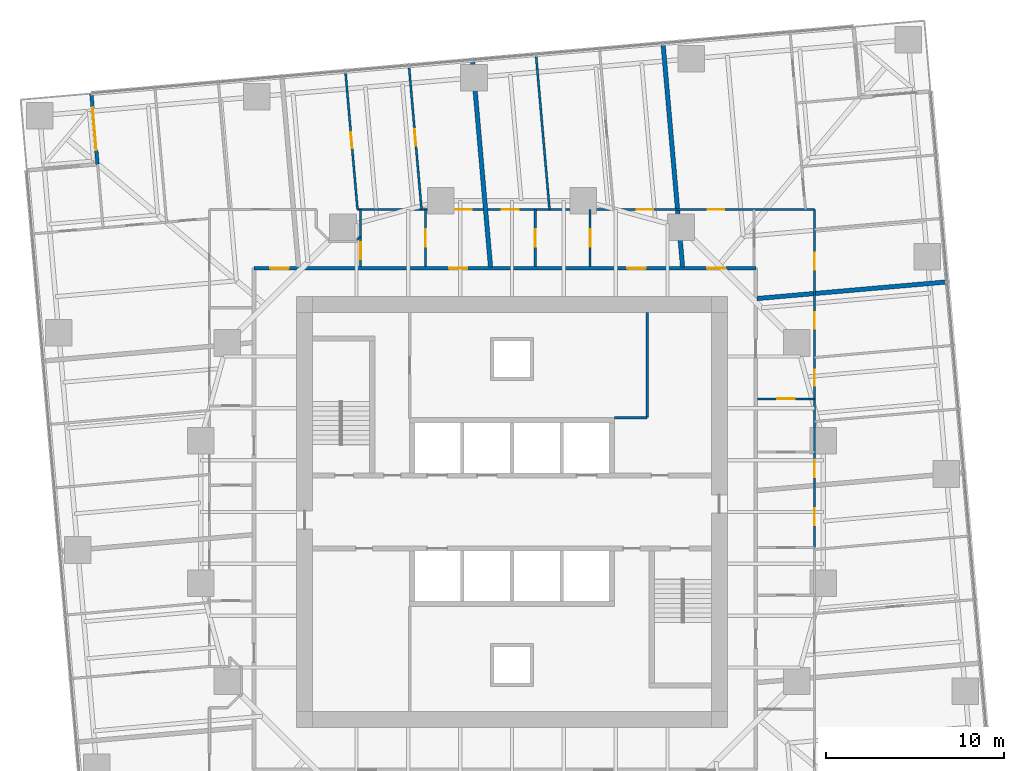
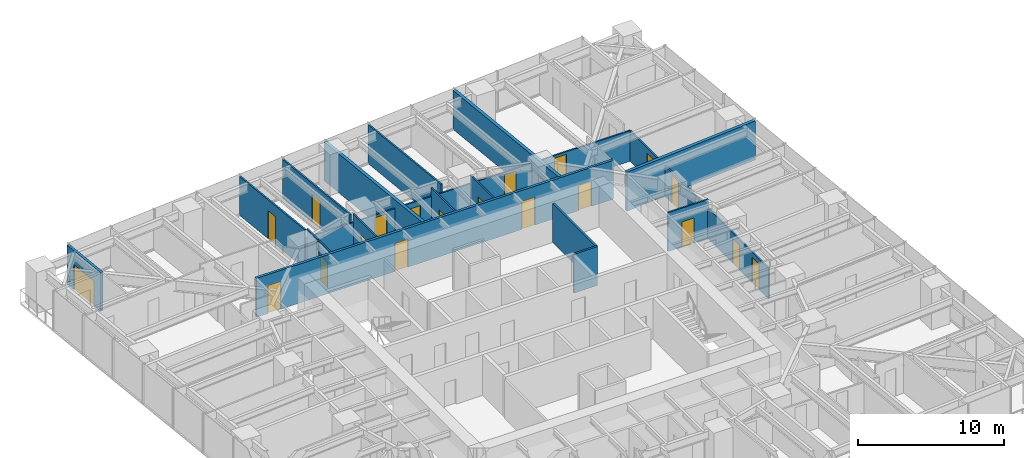
# One storey, part 12 of 14: 21 doors, 18 walls, 21 openings.
"""IFC4 building model written with IfcOpenShell, lengths in metres."""

import ifcopenshell
import ifcopenshell.guid

model = None  # the IFC model being written
_history = None  # IfcOwnerHistory: only IFC2X3 demands one
_inside = {}  # id of a spatial element -> (the spatial element, [elements in it])
_under = {}  # id of a project, library or spatial element -> (it, [spatial elements below it])
_declared = {}  # id of a project -> (the project, [libraries it declares])
_typed = {}  # id of a type object -> (the type object, [elements of that type])
_made_of = {}  # id of a material, layer set ... -> (it, [elements and type objects made of it])


def new_model(schema):
    """Start an empty IFC model of exactly this schema.

    Asked for "IFC4X3", IfcOpenShell would pick the latest addendum, in which some entities
    have other attributes; the version numbers below select the first issue.
    IFC2X3 requires an IfcOwnerHistory on every rooted entity: one is made here for all.
    """
    global model, _history
    if schema == "IFC4X3":
        model = ifcopenshell.file(schema_version=(4, 3, 0, 0))
    else:
        model = ifcopenshell.file(schema=schema)
    _inside.clear()
    _under.clear()
    _declared.clear()
    _typed.clear()
    _made_of.clear()
    _history = None
    if model.schema == "IFC2X3":
        org = make("IfcOrganization", Name="unknown")
        user = make(
            "IfcPersonAndOrganization",
            ThePerson=make("IfcPerson", FamilyName="unknown"),
            TheOrganization=org,
        )
        app = make(
            "IfcApplication",
            ApplicationDeveloper=org,
            Version="unknown",
            ApplicationFullName="unknown",
            ApplicationIdentifier="unknown",
        )
        _history = make(
            "IfcOwnerHistory",
            OwningUser=user,
            OwningApplication=app,
            ChangeAction="ADDED",
            CreationDate=0,
        )
    return model


def make(cls, **values):
    """One entity of the class cls with the attributes given. An attribute that is None is left unset."""
    return model.create_entity(
        cls, **{name: value for name, value in values.items() if value is not None}
    )


def rooted(cls, **values):
    """An entity with a GlobalId (a new one), such as an element, a storey or a relation."""
    return make(cls, GlobalId=ifcopenshell.guid.new(), OwnerHistory=_history, **values)


def si_unit(unit_type, name, prefix=None):
    """IfcSIUnit, for example si_unit("LENGTHUNIT", "METRE", prefix="MILLI")."""
    return make("IfcSIUnit", UnitType=unit_type, Prefix=prefix, Name=name)


def assignment(units):
    """IfcUnitAssignment: the units of a project."""
    return None if units is None else make("IfcUnitAssignment", Units=units)


def point(xyz):
    """IfcCartesianPoint."""
    return None if xyz is None else make("IfcCartesianPoint", Coordinates=xyz)


def direction(xyz):
    """IfcDirection."""
    return None if xyz is None else make("IfcDirection", DirectionRatios=xyz)


def frame(location, z_axis=None, x_axis=None):
    """IfcAxis2Placement3D, a coordinate frame: its origin and axes. An axis left out is left unset."""
    return make(
        "IfcAxis2Placement3D",
        Location=point(location),
        Axis=direction(z_axis),
        RefDirection=direction(x_axis),
    )


def frame_2d(location, x_axis=None):
    """IfcAxis2Placement2D, a coordinate frame in the plane: its origin and x axis."""
    return make(
        "IfcAxis2Placement2D", Location=point(location), RefDirection=direction(x_axis)
    )


def origin():
    """The frame at (0, 0, 0) with its axes left unset."""
    return frame((0.0, 0.0, 0.0))


def place(relative_to, where):
    """IfcLocalPlacement: puts the frame where relative to a parent placement (None: the world)."""
    return make(
        "IfcLocalPlacement", PlacementRelTo=relative_to, RelativePlacement=where
    )


def context(
    kind, dimensions, precision=None, world=None, true_north=None, identifier=None
):
    """IfcGeometricRepresentationContext, for example the 3D "Model" context."""
    return make(
        "IfcGeometricRepresentationContext",
        ContextIdentifier=identifier,
        ContextType=kind,
        CoordinateSpaceDimension=dimensions,
        Precision=precision,
        WorldCoordinateSystem=world,
        TrueNorth=true_north,
    )


def subcontext(parent, identifier, kind, view, scale=None):
    """IfcGeometricRepresentationSubContext, for example "Body" below "Model"."""
    return make(
        "IfcGeometricRepresentationSubContext",
        ContextIdentifier=identifier,
        ContextType=kind,
        ParentContext=parent,
        TargetScale=scale,
        TargetView=view,
    )


def project(units=None, contexts=None):
    """IfcProject with its units and contexts."""
    return rooted(
        "IfcProject",
        Name="project",
        RepresentationContexts=contexts,
        UnitsInContext=assignment(units),
    )


def spatial(cls, under=None, at=None, **own):
    """A site, building, storey or space (cls), placed at a placement, below another one or the project."""
    s = rooted(cls, ObjectPlacement=at, **own)
    if under is not None:
        _under.setdefault(under.id(), (under, []))[1].append(s)
    return s


def profile(cls, at=None, kind="AREA", **sizes):
    """A parametric profile (cls). Its sizes go by their IFC names, for example OverallWidth=200.0."""
    return make(cls, ProfileType=kind, Position=at, **sizes)


def rectangle(**sizes):
    """IfcRectangleProfileDef."""
    return profile("IfcRectangleProfileDef", **sizes)


def extrude(swept, where, along, depth):
    """IfcExtrudedAreaSolid: the profile swept, set in the frame where, extruded along a direction by depth."""
    return make(
        "IfcExtrudedAreaSolid",
        SweptArea=swept,
        Position=where,
        ExtrudedDirection=direction(along),
        Depth=depth,
    )


def shape(context_of_items, identifier, shape_type, items):
    """IfcShapeRepresentation: the items that make up one representation, for example the "Body"."""
    return make(
        "IfcShapeRepresentation",
        ContextOfItems=context_of_items,
        RepresentationIdentifier=identifier,
        RepresentationType=shape_type,
        Items=items,
    )


def material(Name=None, Category=None):
    """IfcMaterial."""
    return make("IfcMaterial", Name=Name, Category=Category)


def layer(
    of_material, thickness, ventilated=None, Name=None, Category=None, Priority=None
):
    """IfcMaterialLayer: one layer of a wall or slab, of a material (None: an air gap)."""
    return make(
        "IfcMaterialLayer",
        Material=of_material,
        LayerThickness=thickness,
        IsVentilated=ventilated,
        Name=Name,
        Category=Category,
        Priority=Priority,
    )


def layer_set(layers, Name=None):
    """IfcMaterialLayerSet."""
    return make("IfcMaterialLayerSet", MaterialLayers=layers, LayerSetName=Name)


def made_of(thing, what):
    """Note that an element or type object is made of a material, layer set ...; save() writes the relation."""
    if what is not None:
        _made_of.setdefault(what.id(), (what, []))[1].append(thing)
    return thing


def type_object(cls, material=None, **own):
    """A type object (cls), such as IfcWallType, which elements share."""
    return made_of(rooted(cls, **own), material)


def element(
    cls,
    number,
    at=None,
    inside=None,
    cuts=None,
    type_object=None,
    material=None,
    context=None,
    identifier="Body",
    shape_type=None,
    held_by="IfcProductDefinitionShape",
    body=None,
    shapes=None,
    **own,
):
    """One element of the class cls, such as IfcWall. Its Tag is "e" and its number.

    at: its placement. inside: the storey or other place that contains it. cuts: it is an
    opening in that element (IfcRelVoidsElement). A single representation is given by context,
    identifier, shape_type and body (its items); several are given by shapes. held_by: the class
    of the entity that holds the representations. save() writes the other relations.
    """
    e = rooted(cls, Tag="e%d" % number, ObjectPlacement=at, **own)
    if body is not None:
        shapes = [shape(context, identifier, shape_type, body)]
    if shapes is not None:
        e.Representation = make(held_by, Representations=shapes)
    if inside is not None:
        _inside.setdefault(inside.id(), (inside, []))[1].append(e)
    if cuts is not None:
        rooted(
            "IfcRelVoidsElement", RelatingBuildingElement=cuts, RelatedOpeningElement=e
        )
    if type_object is not None:
        _typed.setdefault(type_object.id(), (type_object, []))[1].append(e)
    return made_of(e, material)


def fill(opening, filler):
    """IfcRelFillsElement: the door or window that sits in an opening."""
    return rooted(
        "IfcRelFillsElement",
        RelatingOpeningElement=opening,
        RelatedBuildingElement=filler,
    )


def aggregate(whole, parts):
    """IfcRelAggregates: a whole, such as a stair, and the parts it consists of."""
    return rooted("IfcRelAggregates", RelatingObject=whole, RelatedObjects=parts)


def save(model, path):
    """Write the relations noted so far, then the file.

    IfcRelAggregates (storeys below a building ...), IfcRelContainedInSpatialStructure (elements
    in a storey), IfcRelDefinesByType, IfcRelAssociatesMaterial and IfcRelDeclares: one each for
    every whole, place, type object, material and project.
    """
    for whole, parts in _under.values():
        aggregate(whole, parts)
    for where, things in _inside.values():
        rooted(
            "IfcRelContainedInSpatialStructure",
            RelatedElements=things,
            RelatingStructure=where,
        )
    for kind, things in _typed.values():
        rooted("IfcRelDefinesByType", RelatedObjects=things, RelatingType=kind)
    for what, things in _made_of.values():
        rooted("IfcRelAssociatesMaterial", RelatedObjects=things, RelatingMaterial=what)
    for by, libraries in _declared.values():
        rooted("IfcRelDeclares", RelatingContext=by, RelatedDefinitions=libraries)
    model.write(path)


model = new_model("IFC4")

# Units and contexts
model_context = context("Model", 3, precision=1e-05, world=origin(), true_north=direction((0.0, 1.0)))
body_context = subcontext(model_context, "Body", "Model", "MODEL_VIEW")
ifc_project = project(units=[si_unit("LENGTHUNIT", "METRE"), si_unit("AREAUNIT", "SQUARE_METRE"), si_unit("VOLUMEUNIT", "CUBIC_METRE"), si_unit("PLANEANGLEUNIT", "RADIAN"), si_unit("MASSUNIT", "GRAM", prefix="KILO")], contexts=[model_context])

# Site, building, storey
site_placement = place(None, origin())
site = spatial("IfcSite", under=ifc_project, at=site_placement, CompositionType="ELEMENT")
building_placement = place(site_placement, origin())
building = spatial("IfcBuilding", under=site, at=building_placement, Name="Torsade Residences", CompositionType="ELEMENT")
storey_placement = place(building_placement, frame((0.0, 0.0, 50.60009765625)))
storey = spatial("IfcBuildingStorey", under=building, at=storey_placement, Name="L13", CompositionType="ELEMENT", Elevation=50.60009765625)

# Wall, openings, doors
ifc_material_1 = material(Name="Plasterboard on steel stud", Category="steel")
ifc_layer_1 = layer(ifc_material_1, 0.199951171875)
ifc_layer_set_1 = layer_set([ifc_layer_1], Name="Plasterboard on steel stud")
wall_type_1 = type_object("IfcWallType", Name="CORRIDOR WALL 200", PredefinedType="PARTITIONING", material=ifc_layer_set_1)
wall_1_placement = place(storey_placement, frame((53.699951171875, 43.699951171875, 0.0), z_axis=(0.0, 0.0, 1.0), x_axis=(-1.0, 0.0, 0.0)))
wall_1 = element("IfcWall", 1, at=wall_1_placement, inside=storey, type_object=wall_type_1, Name="Corridor wall L13", PredefinedType="PARTITIONING", context=body_context, shape_type="SweptSolid", body=[
    extrude(rectangle(XDim=28.199951171875, YDim=0.199951171875, at=frame_2d((14.10009765625, 0.0))), origin(), (0.0, 0.0, 1.0), 3.25),
])
opening_1_placement = place(wall_1_placement, frame((6.1943359375, 0.0, 0.0)))
opening_1 = element("IfcOpeningElement", 2, at=opening_1_placement, cuts=wall_1, Name="Opening D01", PredefinedType="OPENING", context=body_context, shape_type="SweptSolid", body=[
    extrude(rectangle(XDim=1.02001953125, YDim=2.340087890625, at=frame_2d((0.510009765625, 1.169921875))), frame((0.0, 0.10986328125, 0.0), z_axis=(0.0, -1.0, 0.0), x_axis=(1.0, 0.0, 0.0)), (0.0, 0.0, 1.0), 0.219970703125),
])
opening_2_placement = place(wall_1_placement, frame((1.71484375, 0.0, 0.0)))
opening_2 = element("IfcOpeningElement", 3, at=opening_2_placement, cuts=wall_1, Name="Opening D01L", PredefinedType="OPENING", context=body_context, shape_type="SweptSolid", body=[
    extrude(rectangle(XDim=1.02001953125, YDim=2.10009765625, at=frame_2d((0.510009765625, 1.050048828125))), frame((0.0, 0.10986328125, 0.0), z_axis=(0.0, -1.0, 0.0), x_axis=(1.0, 0.0, 0.0)), (0.0, 0.0, 1.0), 0.219970703125),
])
opening_3_placement = place(wall_1_placement, frame((16.214599609375, 0.0, 0.0)))
opening_3 = element("IfcOpeningElement", 4, at=opening_3_placement, cuts=wall_1, Name="Opening D01", PredefinedType="OPENING", context=body_context, shape_type="SweptSolid", body=[
    extrude(rectangle(XDim=1.02001953125, YDim=2.340087890625, at=frame_2d((0.510009765625, 1.169921875))), frame((0.0, 0.10986328125, 0.0), z_axis=(0.0, -1.0, 0.0), x_axis=(1.0, 0.0, 0.0)), (0.0, 0.0, 1.0), 0.219970703125),
])
opening_4_placement = place(wall_1_placement, frame((26.25537109375, 0.0, 0.0)))
opening_4 = element("IfcOpeningElement", 5, at=opening_4_placement, cuts=wall_1, Name="Opening D01", PredefinedType="OPENING", context=body_context, shape_type="SweptSolid", body=[
    extrude(rectangle(XDim=1.02001953125, YDim=2.340087890625, at=frame_2d((0.510009765625, 1.169921875))), frame((0.0, 0.10986328125, 0.0), z_axis=(0.0, -1.0, 0.0), x_axis=(1.0, 0.0, 0.0)), (0.0, 0.0, 1.0), 0.219970703125),
])
ifc_material_2 = material(Name="Solid-core timber fire door", Category="wood")
door_type_1 = type_object("IfcDoorType", Name="APARTMENT ENTRY DOOR 1020x2100", OperationType="NOTDEFINED", PredefinedType="DOOR", material=ifc_material_2)
door_1_placement = place(opening_2_placement, origin())
door_1 = element("IfcDoor", 6, at=door_1_placement, inside=storey, type_object=door_type_1, Name="Door Residential corridor to Kitchen and dining", OperationType="SINGLE_SWING_LEFT", OverallHeight=2.10009765625, OverallWidth=1.02001953125, PredefinedType="DOOR", context=body_context, shape_type="SweptSolid", body=[
    extrude(rectangle(XDim=1.02001953125, YDim=2.10009765625, at=frame_2d((0.510009765625, 1.050048828125))), frame((0.0, 0.02490234375, 0.0), z_axis=(0.0, -1.0, 0.0), x_axis=(1.0, 0.0, 0.0)), (0.0, 0.0, 1.0), 0.050048828125),
])
fill(opening_2, door_1)
ifc_material_3 = material(Name="Solid-core timber fire door", Category="wood")
door_type_2 = type_object("IfcDoorType", Name="APARTMENT ENTRY DOOR 1020x2340", OperationType="NOTDEFINED", PredefinedType="DOOR", material=ifc_material_3)
door_2_placement = place(opening_1_placement, origin())
door_2 = element("IfcDoor", 7, at=door_2_placement, inside=storey, type_object=door_type_2, Name="Door Residential corridor to Kitchen and dining", OperationType="SINGLE_SWING_LEFT", OverallHeight=2.340087890625, OverallWidth=1.02001953125, PredefinedType="DOOR", context=body_context, shape_type="SweptSolid", body=[
    extrude(rectangle(XDim=1.02001953125, YDim=2.340087890625, at=frame_2d((0.510009765625, 1.169921875))), frame((0.0, 0.02490234375, 0.0), z_axis=(0.0, -1.0, 0.0), x_axis=(1.0, 0.0, 0.0)), (0.0, 0.0, 1.0), 0.050048828125),
])
fill(opening_1, door_2)
door_3_placement = place(opening_3_placement, origin())
door_3 = element("IfcDoor", 8, at=door_3_placement, inside=storey, type_object=door_type_2, Name="Door Residential corridor to Kitchen and dining", OperationType="SINGLE_SWING_RIGHT", OverallHeight=2.340087890625, OverallWidth=1.02001953125, PredefinedType="DOOR", context=body_context, shape_type="SweptSolid", body=[
    extrude(rectangle(XDim=1.02001953125, YDim=2.340087890625, at=frame_2d((0.510009765625, 1.169921875))), frame((0.0, 0.02490234375, 0.0), z_axis=(0.0, -1.0, 0.0), x_axis=(1.0, 0.0, 0.0)), (0.0, 0.0, 1.0), 0.050048828125),
])
fill(opening_3, door_3)
door_4_placement = place(opening_4_placement, origin())
door_4 = element("IfcDoor", 9, at=door_4_placement, inside=storey, type_object=door_type_2, Name="Door Residential corridor to Kitchen and dining", OperationType="SINGLE_SWING_RIGHT", OverallHeight=2.340087890625, OverallWidth=1.02001953125, PredefinedType="DOOR", context=body_context, shape_type="SweptSolid", body=[
    extrude(rectangle(XDim=1.02001953125, YDim=2.340087890625, at=frame_2d((0.510009765625, 1.169921875))), frame((0.0, 0.02490234375, 0.0), z_axis=(0.0, -1.0, 0.0), x_axis=(1.0, 0.0, 0.0)), (0.0, 0.0, 1.0), 0.050048828125),
])
fill(opening_4, door_4)

ifc_material_4 = material(Name="Plasterboard on steel stud", Category="steel")
ifc_layer_2 = layer(ifc_material_4, 0.1201171875)
ifc_layer_set_2 = layer_set([ifc_layer_2], Name="Plasterboard on steel stud")
wall_type_2 = type_object("IfcWallType", Name="PARTITION 120", PredefinedType="PARTITIONING", material=ifc_layer_set_2)
wall_2_placement = place(storey_placement, frame((57.0, 47.0, 0.0), z_axis=(0.0, 0.0, 1.0), x_axis=(0.0, -1.0, 0.0)))
wall_2 = element("IfcWall", 10, at=wall_2_placement, inside=storey, type_object=wall_type_2, Name="Partition L13", PredefinedType="PARTITIONING", context=body_context, shape_type="SweptSolid", body=[
    extrude(rectangle(XDim=19.003173828125, YDim=0.1201171875, at=frame_2d((9.50146484375, 0.0))), origin(), (0.0, 0.0, 1.0), 2.5498046875),
])
opening_5_placement = place(wall_2_placement, frame((5.78515625, 0.0, 0.0)))
opening_5 = element("IfcOpeningElement", 11, at=opening_5_placement, cuts=wall_2, Name="Opening D02", PredefinedType="OPENING", context=body_context, shape_type="SweptSolid", body=[
    extrude(rectangle(XDim=0.919921875, YDim=2.340087890625, at=frame_2d((0.4599609375, 1.169921875))), frame((0.0, 0.070068359375, 0.0), z_axis=(0.0, -1.0, 0.0), x_axis=(1.0, 0.0, 0.0)), (0.0, 0.0, 1.0), 0.14013671875),
])
opening_6_placement = place(wall_2_placement, frame((8.993896484375, 0.0, 0.0)))
opening_6 = element("IfcOpeningElement", 12, at=opening_6_placement, cuts=wall_2, Name="Opening D02", PredefinedType="OPENING", context=body_context, shape_type="SweptSolid", body=[
    extrude(rectangle(XDim=0.919921875, YDim=2.340087890625, at=frame_2d((0.4599609375, 1.169921875))), frame((0.0, 0.070068359375, 0.0), z_axis=(0.0, -1.0, 0.0), x_axis=(1.0, 0.0, 0.0)), (0.0, 0.0, 1.0), 0.14013671875),
])
opening_7_placement = place(wall_2_placement, frame((2.41796875, 0.0, 0.0)))
opening_7 = element("IfcOpeningElement", 13, at=opening_7_placement, cuts=wall_2, Name="Opening D05", PredefinedType="OPENING", context=body_context, shape_type="SweptSolid", body=[
    extrude(rectangle(XDim=0.9599609375, YDim=2.10009765625, at=frame_2d((0.47998046875, 1.050048828125))), frame((0.0, 0.070068359375, 0.0), z_axis=(0.0, -1.0, 0.0), x_axis=(1.0, 0.0, 0.0)), (0.0, 0.0, 1.0), 0.14013671875),
])
opening_8_placement = place(wall_2_placement, frame((14.0927734375, 0.0, 0.0)))
opening_8 = element("IfcOpeningElement", 14, at=opening_8_placement, cuts=wall_2, Name="Opening D05", PredefinedType="OPENING", context=body_context, shape_type="SweptSolid", body=[
    extrude(rectangle(XDim=0.9599609375, YDim=2.10009765625, at=frame_2d((0.47998046875, 1.050048828125))), frame((0.0, 0.070068359375, 0.0), z_axis=(0.0, -1.0, 0.0), x_axis=(1.0, 0.0, 0.0)), (0.0, 0.0, 1.0), 0.14013671875),
])
opening_9_placement = place(wall_2_placement, frame((16.77783203125, 0.0, 0.0)))
opening_9 = element("IfcOpeningElement", 15, at=opening_9_placement, cuts=wall_2, Name="Opening D05", PredefinedType="OPENING", context=body_context, shape_type="SweptSolid", body=[
    extrude(rectangle(XDim=0.9599609375, YDim=2.10009765625, at=frame_2d((0.47998046875, 1.050048828125))), frame((0.0, 0.070068359375, 0.0), z_axis=(0.0, -1.0, 0.0), x_axis=(1.0, 0.0, 0.0)), (0.0, 0.0, 1.0), 0.14013671875),
])
ifc_material_5 = material(Name="Hollow-core timber door in a steel cavity frame", Category="steel")
door_type_3 = type_object("IfcDoorType", Name="BATHROOM CAVITY SLIDING DOOR 960", OperationType="SLIDING_TO_LEFT", PredefinedType="DOOR", material=ifc_material_5)
door_5_placement = place(opening_7_placement, origin())
door_5 = element("IfcDoor", 16, at=door_5_placement, inside=storey, type_object=door_type_3, Name="Door Bathroom to Study", OperationType="SLIDING_TO_LEFT", OverallHeight=2.10009765625, OverallWidth=0.9599609375, PredefinedType="DOOR", context=body_context, shape_type="SweptSolid", body=[
    extrude(rectangle(XDim=0.9599609375, YDim=2.10009765625, at=frame_2d((0.47998046875, 1.050048828125))), frame((0.0, 0.02490234375, 0.0), z_axis=(0.0, -1.0, 0.0), x_axis=(1.0, 0.0, 0.0)), (0.0, 0.0, 1.0), 0.050048828125),
])
fill(opening_7, door_5)
door_6_placement = place(opening_8_placement, origin())
door_6 = element("IfcDoor", 17, at=door_6_placement, inside=storey, type_object=door_type_3, Name="Door Ensuite to Living room", OperationType="SLIDING_TO_LEFT", OverallHeight=2.10009765625, OverallWidth=0.9599609375, PredefinedType="DOOR", context=body_context, shape_type="SweptSolid", body=[
    extrude(rectangle(XDim=0.9599609375, YDim=2.10009765625, at=frame_2d((0.47998046875, 1.050048828125))), frame((0.0, 0.02490234375, 0.0), z_axis=(0.0, -1.0, 0.0), x_axis=(1.0, 0.0, 0.0)), (0.0, 0.0, 1.0), 0.050048828125),
])
fill(opening_8, door_6)
door_7_placement = place(opening_9_placement, origin())
door_7 = element("IfcDoor", 18, at=door_7_placement, inside=storey, type_object=door_type_3, Name="Door Bathroom to Bedroom 2", OperationType="SLIDING_TO_LEFT", OverallHeight=2.10009765625, OverallWidth=0.9599609375, PredefinedType="DOOR", context=body_context, shape_type="SweptSolid", body=[
    extrude(rectangle(XDim=0.9599609375, YDim=2.10009765625, at=frame_2d((0.47998046875, 1.050048828125))), frame((0.0, 0.02490234375, 0.0), z_axis=(0.0, -1.0, 0.0), x_axis=(1.0, 0.0, 0.0)), (0.0, 0.0, 1.0), 0.050048828125),
])
fill(opening_9, door_7)
ifc_material_6 = material(Name="Hollow-core timber door", Category="wood")
door_type_4 = type_object("IfcDoorType", Name="INTERNAL DOOR 920x2340", OperationType="NOTDEFINED", PredefinedType="DOOR", material=ifc_material_6)
door_8_placement = place(opening_5_placement, origin())
door_8 = element("IfcDoor", 19, at=door_8_placement, inside=storey, type_object=door_type_4, Name="Door Kitchen and dining to Bedroom 2", OperationType="SINGLE_SWING_LEFT", OverallHeight=2.340087890625, OverallWidth=0.919921875, PredefinedType="DOOR", context=body_context, shape_type="SweptSolid", body=[
    extrude(rectangle(XDim=0.919921875, YDim=2.340087890625, at=frame_2d((0.4599609375, 1.169921875))), frame((0.0, 0.02490234375, 0.0), z_axis=(0.0, -1.0, 0.0), x_axis=(1.0, 0.0, 0.0)), (0.0, 0.0, 1.0), 0.050048828125),
])
fill(opening_5, door_8)
door_9_placement = place(opening_6_placement, origin())
door_9 = element("IfcDoor", 20, at=door_9_placement, inside=storey, type_object=door_type_4, Name="Door Kitchen and dining to Bedroom 1", OperationType="SINGLE_SWING_LEFT", OverallHeight=2.340087890625, OverallWidth=0.919921875, PredefinedType="DOOR", context=body_context, shape_type="SweptSolid", body=[
    extrude(rectangle(XDim=0.919921875, YDim=2.340087890625, at=frame_2d((0.4599609375, 1.169921875))), frame((0.0, 0.02490234375, 0.0), z_axis=(0.0, -1.0, 0.0), x_axis=(1.0, 0.0, 0.0)), (0.0, 0.0, 1.0), 0.050048828125),
])
fill(opening_6, door_9)

# Wall, opening, door
wall_3_placement = place(storey_placement, frame((57.0, 36.3603515625, 0.0), z_axis=(0.0, 0.0, 1.0), x_axis=(-1.0, 0.0, 0.0)))
wall_3 = element("IfcWall", 21, at=wall_3_placement, inside=storey, type_object=wall_type_2, Name="Partition L13", PredefinedType="PARTITIONING", context=body_context, shape_type="SweptSolid", body=[
    extrude(rectangle(XDim=3.199951171875, YDim=0.1201171875, at=frame_2d((1.60009765625, 0.0))), origin(), (0.0, 0.0, 1.0), 3.25),
])
opening_10_placement = place(wall_3_placement, frame((1.1201171875, 0.0, 0.0)))
opening_10 = element("IfcOpeningElement", 22, at=opening_10_placement, cuts=wall_3, Name="Opening D05", PredefinedType="OPENING", context=body_context, shape_type="SweptSolid", body=[
    extrude(rectangle(XDim=0.9599609375, YDim=2.10009765625, at=frame_2d((0.47998046875, 1.050048828125))), frame((0.0, 0.070068359375, 0.0), z_axis=(0.0, -1.0, 0.0), x_axis=(1.0, 0.0, 0.0)), (0.0, 0.0, 1.0), 0.14013671875),
])
door_10_placement = place(opening_10_placement, origin())
door_10 = element("IfcDoor", 23, at=door_10_placement, inside=storey, type_object=door_type_3, Name="Door Kitchen and dining to Bathroom", OperationType="SLIDING_TO_LEFT", OverallHeight=2.10009765625, OverallWidth=0.9599609375, PredefinedType="DOOR", context=body_context, shape_type="SweptSolid", body=[
    extrude(rectangle(XDim=0.9599609375, YDim=2.10009765625, at=frame_2d((0.47998046875, 1.050048828125))), frame((0.0, 0.02490234375, 0.0), z_axis=(0.0, -1.0, 0.0), x_axis=(1.0, 0.0, 0.0)), (0.0, 0.0, 1.0), 0.050048828125),
])
fill(opening_10, door_10)

# Wall, openings, doors
wall_4_placement = place(storey_placement, frame((31.318603515625, 47.0, 0.0), z_axis=(0.0, 0.0, 1.0), x_axis=(1.0, 0.0, 0.0)))
wall_4 = element("IfcWall", 24, at=wall_4_placement, inside=storey, type_object=wall_type_2, Name="Partition L13", PredefinedType="PARTITIONING", context=body_context, shape_type="SweptSolid", body=[
    extrude(rectangle(XDim=25.681396484375, YDim=0.1201171875, at=frame_2d((12.8408203125, 0.0))), origin(), (0.0, 0.0, 1.0), 2.5498046875),
])
opening_11_placement = place(wall_4_placement, frame((15.701416015625, 0.0, 0.0)))
opening_11 = element("IfcOpeningElement", 25, at=opening_11_placement, cuts=wall_4, Name="Opening D02", PredefinedType="OPENING", context=body_context, shape_type="SweptSolid", body=[
    extrude(rectangle(XDim=0.919921875, YDim=2.340087890625, at=frame_2d((0.4599609375, 1.169921875))), frame((0.0, 0.070068359375, 0.0), z_axis=(0.0, -1.0, 0.0), x_axis=(1.0, 0.0, 0.0)), (0.0, 0.0, 1.0), 0.14013671875),
])
opening_12_placement = place(wall_4_placement, frame((19.67626953125, 0.0, 0.0)))
opening_12 = element("IfcOpeningElement", 26, at=opening_12_placement, cuts=wall_4, Name="Opening D02", PredefinedType="OPENING", context=body_context, shape_type="SweptSolid", body=[
    extrude(rectangle(XDim=0.919921875, YDim=2.340087890625, at=frame_2d((0.4599609375, 1.169921875))), frame((0.0, 0.070068359375, 0.0), z_axis=(0.0, -1.0, 0.0), x_axis=(1.0, 0.0, 0.0)), (0.0, 0.0, 1.0), 0.14013671875),
])
opening_13_placement = place(wall_4_placement, frame((5.49755859375, 0.0, 0.0)))
opening_13 = element("IfcOpeningElement", 27, at=opening_13_placement, cuts=wall_4, Name="Opening D02", PredefinedType="OPENING", context=body_context, shape_type="SweptSolid", body=[
    extrude(rectangle(XDim=0.919921875, YDim=2.340087890625, at=frame_2d((0.4599609375, 1.169921875))), frame((0.0, 0.070068359375, 0.0), z_axis=(0.0, -1.0, 0.0), x_axis=(1.0, 0.0, 0.0)), (0.0, 0.0, 1.0), 0.14013671875),
])
opening_14_placement = place(wall_4_placement, frame((8.1103515625, 0.0, 0.0)))
opening_14 = element("IfcOpeningElement", 28, at=opening_14_placement, cuts=wall_4, Name="Opening D05", PredefinedType="OPENING", context=body_context, shape_type="SweptSolid", body=[
    extrude(rectangle(XDim=0.9599609375, YDim=2.10009765625, at=frame_2d((0.47998046875, 1.050048828125))), frame((0.0, 0.070068359375, 0.0), z_axis=(0.0, -1.0, 0.0), x_axis=(1.0, 0.0, 0.0)), (0.0, 0.0, 1.0), 0.14013671875),
])
door_11_placement = place(opening_14_placement, origin())
door_11 = element("IfcDoor", 29, at=door_11_placement, inside=storey, type_object=door_type_3, Name="Door Ensuite to Bedroom 2", OperationType="SLIDING_TO_LEFT", OverallHeight=2.10009765625, OverallWidth=0.9599609375, PredefinedType="DOOR", context=body_context, shape_type="SweptSolid", body=[
    extrude(rectangle(XDim=0.9599609375, YDim=2.10009765625, at=frame_2d((0.47998046875, 1.050048828125))), frame((0.0, 0.02490234375, 0.0), z_axis=(0.0, -1.0, 0.0), x_axis=(1.0, 0.0, 0.0)), (0.0, 0.0, 1.0), 0.050048828125),
])
fill(opening_14, door_11)
door_12_placement = place(opening_11_placement, origin())
door_12 = element("IfcDoor", 30, at=door_12_placement, inside=storey, type_object=door_type_4, Name="Door Kitchen and dining to Living room", OperationType="SINGLE_SWING_LEFT", OverallHeight=2.340087890625, OverallWidth=0.919921875, PredefinedType="DOOR", context=body_context, shape_type="SweptSolid", body=[
    extrude(rectangle(XDim=0.919921875, YDim=2.340087890625, at=frame_2d((0.4599609375, 1.169921875))), frame((0.0, 0.02490234375, 0.0), z_axis=(0.0, -1.0, 0.0), x_axis=(1.0, 0.0, 0.0)), (0.0, 0.0, 1.0), 0.050048828125),
])
fill(opening_11, door_12)
door_13_placement = place(opening_12_placement, origin())
door_13 = element("IfcDoor", 31, at=door_13_placement, inside=storey, type_object=door_type_4, Name="Door Kitchen and dining to Living room", OperationType="SINGLE_SWING_LEFT", OverallHeight=2.340087890625, OverallWidth=0.919921875, PredefinedType="DOOR", context=body_context, shape_type="SweptSolid", body=[
    extrude(rectangle(XDim=0.919921875, YDim=2.340087890625, at=frame_2d((0.4599609375, 1.169921875))), frame((0.0, 0.02490234375, 0.0), z_axis=(0.0, -1.0, 0.0), x_axis=(1.0, 0.0, 0.0)), (0.0, 0.0, 1.0), 0.050048828125),
])
fill(opening_12, door_13)
door_14_placement = place(opening_13_placement, origin())
door_14 = element("IfcDoor", 32, at=door_14_placement, inside=storey, type_object=door_type_4, Name="Door Kitchen and dining to Living room", OperationType="SINGLE_SWING_LEFT", OverallHeight=2.340087890625, OverallWidth=0.919921875, PredefinedType="DOOR", context=body_context, shape_type="SweptSolid", body=[
    extrude(rectangle(XDim=0.919921875, YDim=2.340087890625, at=frame_2d((0.4599609375, 1.169921875))), frame((0.0, 0.02490234375, 0.0), z_axis=(0.0, -1.0, 0.0), x_axis=(1.0, 0.0, 0.0)), (0.0, 0.0, 1.0), 0.050048828125),
])
fill(opening_13, door_14)

# Wall, opening, door
wall_5_placement = place(storey_placement, frame((44.38916015625, 43.800048828125, 0.0), z_axis=(0.0, 0.0, 1.0), x_axis=(0.0, 1.0, 0.0)))
wall_5 = element("IfcWall", 33, at=wall_5_placement, inside=storey, type_object=wall_type_2, Name="Partition L13", PredefinedType="PARTITIONING", context=body_context, shape_type="SweptSolid", body=[
    extrude(rectangle(XDim=3.199951171875, YDim=0.1201171875, at=frame_2d((1.60009765625, 0.0))), origin(), (0.0, 0.0, 1.0), 3.25),
])
opening_15_placement = place(wall_5_placement, frame((1.1201171875, 0.0, 0.0)))
opening_15 = element("IfcOpeningElement", 34, at=opening_15_placement, cuts=wall_5, Name="Opening D05", PredefinedType="OPENING", context=body_context, shape_type="SweptSolid", body=[
    extrude(rectangle(XDim=0.9599609375, YDim=2.10009765625, at=frame_2d((0.47998046875, 1.050048828125))), frame((0.0, 0.070068359375, 0.0), z_axis=(0.0, -1.0, 0.0), x_axis=(1.0, 0.0, 0.0)), (0.0, 0.0, 1.0), 0.14013671875),
])
door_15_placement = place(opening_15_placement, origin())
door_15 = element("IfcDoor", 35, at=door_15_placement, inside=storey, type_object=door_type_3, Name="Door Kitchen and dining to Bathroom", OperationType="SLIDING_TO_LEFT", OverallHeight=2.10009765625, OverallWidth=0.9599609375, PredefinedType="DOOR", context=body_context, shape_type="SweptSolid", body=[
    extrude(rectangle(XDim=0.9599609375, YDim=2.10009765625, at=frame_2d((0.47998046875, 1.050048828125))), frame((0.0, 0.02490234375, 0.0), z_axis=(0.0, -1.0, 0.0), x_axis=(1.0, 0.0, 0.0)), (0.0, 0.0, 1.0), 0.050048828125),
])
fill(opening_15, door_15)

wall_6_placement = place(storey_placement, frame((41.305419921875, 43.800048828125, 0.0), z_axis=(0.0, 0.0, 1.0), x_axis=(0.0, 1.0, 0.0)))
wall_6 = element("IfcWall", 36, at=wall_6_placement, inside=storey, type_object=wall_type_2, Name="Partition L13", PredefinedType="PARTITIONING", context=body_context, shape_type="SweptSolid", body=[
    extrude(rectangle(XDim=3.199951171875, YDim=0.1201171875, at=frame_2d((1.60009765625, 0.0))), origin(), (0.0, 0.0, 1.0), 3.25),
])
opening_16_placement = place(wall_6_placement, frame((1.1201171875, 0.0, 0.0)))
opening_16 = element("IfcOpeningElement", 37, at=opening_16_placement, cuts=wall_6, Name="Opening D05", PredefinedType="OPENING", context=body_context, shape_type="SweptSolid", body=[
    extrude(rectangle(XDim=0.9599609375, YDim=2.10009765625, at=frame_2d((0.47998046875, 1.050048828125))), frame((0.0, 0.070068359375, 0.0), z_axis=(0.0, -1.0, 0.0), x_axis=(1.0, 0.0, 0.0)), (0.0, 0.0, 1.0), 0.14013671875),
])
door_16_placement = place(opening_16_placement, origin())
door_16 = element("IfcDoor", 38, at=door_16_placement, inside=storey, type_object=door_type_3, Name="Door Bathroom to Ensuite", OperationType="SLIDING_TO_LEFT", OverallHeight=2.10009765625, OverallWidth=0.9599609375, PredefinedType="DOOR", context=body_context, shape_type="SweptSolid", body=[
    extrude(rectangle(XDim=0.9599609375, YDim=2.10009765625, at=frame_2d((0.47998046875, 1.050048828125))), frame((0.0, 0.02490234375, 0.0), z_axis=(0.0, -1.0, 0.0), x_axis=(1.0, 0.0, 0.0)), (0.0, 0.0, 1.0), 0.050048828125),
])
fill(opening_16, door_16)

# Wall
wall_7_placement = place(storey_placement, frame((42.109619140625, 47.0, 0.0), z_axis=(0.0, 0.0, 1.0), x_axis=(-0.087158256162, 0.996194478193, 0.0)))
element("IfcWall", 39, at=wall_7_placement, inside=storey, type_object=wall_type_2, Name="Partition L13", PredefinedType="PARTITIONING", context=body_context, shape_type="SweptSolid", body=[
    extrude(rectangle(XDim=8.708740234375, YDim=0.1201171875, at=frame_2d((4.3544921875, 0.0))), origin(), (0.0, 0.0, 1.0), 3.25),
])

# Wall, opening, door
wall_8_placement = place(storey_placement, frame((35.1396484375, 43.800048828125, 0.0), z_axis=(0.0, 0.0, 1.0), x_axis=(0.0, 1.0, 0.0)))
wall_8 = element("IfcWall", 40, at=wall_8_placement, inside=storey, type_object=wall_type_2, Name="Partition L13", PredefinedType="PARTITIONING", context=body_context, shape_type="SweptSolid", body=[
    extrude(rectangle(XDim=3.199951171875, YDim=0.1201171875, at=frame_2d((1.60009765625, 0.0))), origin(), (0.0, 0.0, 1.0), 3.25),
])
opening_17_placement = place(wall_8_placement, frame((1.1201171875, 0.0, 0.0)))
opening_17 = element("IfcOpeningElement", 41, at=opening_17_placement, cuts=wall_8, Name="Opening D05", PredefinedType="OPENING", context=body_context, shape_type="SweptSolid", body=[
    extrude(rectangle(XDim=0.9599609375, YDim=2.10009765625, at=frame_2d((0.47998046875, 1.050048828125))), frame((0.0, 0.070068359375, 0.0), z_axis=(0.0, -1.0, 0.0), x_axis=(1.0, 0.0, 0.0)), (0.0, 0.0, 1.0), 0.14013671875),
])
door_17_placement = place(opening_17_placement, origin())
door_17 = element("IfcDoor", 42, at=door_17_placement, inside=storey, type_object=door_type_3, Name="Door Kitchen and dining to Bathroom", OperationType="SLIDING_TO_LEFT", OverallHeight=2.10009765625, OverallWidth=0.9599609375, PredefinedType="DOOR", context=body_context, shape_type="SweptSolid", body=[
    extrude(rectangle(XDim=0.9599609375, YDim=2.10009765625, at=frame_2d((0.47998046875, 1.050048828125))), frame((0.0, 0.02490234375, 0.0), z_axis=(0.0, -1.0, 0.0), x_axis=(1.0, 0.0, 0.0)), (0.0, 0.0, 1.0), 0.050048828125),
])
fill(opening_17, door_17)

wall_9_placement = place(storey_placement, frame((31.49560546875, 43.800048828125, 0.0), z_axis=(0.0, 0.0, 1.0), x_axis=(0.0, 1.0, 0.0)))
wall_9 = element("IfcWall", 43, at=wall_9_placement, inside=storey, type_object=wall_type_2, Name="Partition L13", PredefinedType="PARTITIONING", context=body_context, shape_type="SweptSolid", body=[
    extrude(rectangle(XDim=3.199951171875, YDim=0.1201171875, at=frame_2d((1.60009765625, 0.0))), origin(), (0.0, 0.0, 1.0), 3.25),
])
opening_18_placement = place(wall_9_placement, frame((0.403076171875, 0.0, 0.0)))
opening_18 = element("IfcOpeningElement", 44, at=opening_18_placement, cuts=wall_9, Name="Opening D05", PredefinedType="OPENING", context=body_context, shape_type="SweptSolid", body=[
    extrude(rectangle(XDim=0.9599609375, YDim=2.10009765625, at=frame_2d((0.47998046875, 1.050048828125))), frame((0.0, 0.070068359375, 0.0), z_axis=(0.0, -1.0, 0.0), x_axis=(1.0, 0.0, 0.0)), (0.0, 0.0, 1.0), 0.14013671875),
])
door_18_placement = place(opening_18_placement, origin())
door_18 = element("IfcDoor", 45, at=door_18_placement, inside=storey, type_object=door_type_3, Name="Door Bathroom to Ensuite", OperationType="SLIDING_TO_LEFT", OverallHeight=2.10009765625, OverallWidth=0.9599609375, PredefinedType="DOOR", context=body_context, shape_type="SweptSolid", body=[
    extrude(rectangle(XDim=0.9599609375, YDim=2.10009765625, at=frame_2d((0.47998046875, 1.050048828125))), frame((0.0, 0.02490234375, 0.0), z_axis=(0.0, -1.0, 0.0), x_axis=(1.0, 0.0, 0.0)), (0.0, 0.0, 1.0), 0.050048828125),
])
fill(opening_18, door_18)

# Wall
wall_10_placement = place(storey_placement, frame((31.300048828125, 45.300048828125, 0.0), z_axis=(0.0, 0.0, 1.0), x_axis=(0.707106781187, 0.707106781187, 0.0)))
element("IfcWall", 46, at=wall_10_placement, inside=storey, type_object=wall_type_2, Name="Partition L13", PredefinedType="PARTITIONING", context=body_context, shape_type="SweptSolid", body=[
    extrude(rectangle(XDim=0.276611328125, YDim=0.1201171875, at=frame_2d((0.13818359375, 0.0))), origin(), (0.0, 0.0, 1.0), 3.25),
])

# Wall, opening, door
wall_11_placement = place(storey_placement, frame((34.915771484375, 47.0, 0.0), z_axis=(0.0, 0.0, 1.0), x_axis=(-0.087184938313, 0.99619214338, 0.0)))
wall_11 = element("IfcWall", 47, at=wall_11_placement, inside=storey, type_object=wall_type_2, Name="Partition L13", PredefinedType="PARTITIONING", context=body_context, shape_type="SweptSolid", body=[
    extrude(rectangle(XDim=8.08154296875, YDim=0.1201171875, at=frame_2d((4.040771484375, 0.0))), origin(), (0.0, 0.0, 1.0), 3.25),
])
opening_19_placement = place(wall_11_placement, frame((3.600830078125, 0.0, 0.0)))
opening_19 = element("IfcOpeningElement", 48, at=opening_19_placement, cuts=wall_11, Name="Opening D02", PredefinedType="OPENING", context=body_context, shape_type="SweptSolid", body=[
    extrude(rectangle(XDim=0.919921875, YDim=2.340087890625, at=frame_2d((0.4599609375, 1.169921875))), frame((0.0, 0.070068359375, 0.0), z_axis=(0.0, -1.0, 0.0), x_axis=(1.0, 0.0, 0.0)), (0.0, 0.0, 1.0), 0.14013671875),
])
door_19_placement = place(opening_19_placement, origin())
door_19 = element("IfcDoor", 49, at=door_19_placement, inside=storey, type_object=door_type_4, Name="Door Living room to Bedroom 1", OperationType="SINGLE_SWING_LEFT", OverallHeight=2.340087890625, OverallWidth=0.919921875, PredefinedType="DOOR", context=body_context, shape_type="SweptSolid", body=[
    extrude(rectangle(XDim=0.919921875, YDim=2.340087890625, at=frame_2d((0.4599609375, 1.169921875))), frame((0.0, 0.02490234375, 0.0), z_axis=(0.0, -1.0, 0.0), x_axis=(1.0, 0.0, 0.0)), (0.0, 0.0, 1.0), 0.050048828125),
])
fill(opening_19, door_19)

wall_12_placement = place(storey_placement, frame((31.318603515625, 47.0, 0.0), z_axis=(0.0, 0.0, 1.0), x_axis=(-0.0871517452, 0.996195047824, 0.0)))
wall_12 = element("IfcWall", 50, at=wall_12_placement, inside=storey, type_object=wall_type_2, Name="Partition L13", PredefinedType="PARTITIONING", context=body_context, shape_type="SweptSolid", body=[
    extrude(rectangle(XDim=7.76806640625, YDim=0.1201171875, at=frame_2d((3.884033203125, 0.0))), origin(), (0.0, 0.0, 1.0), 3.25),
])
opening_20_placement = place(wall_12_placement, frame((3.444091796875, 0.0, 0.0)))
opening_20 = element("IfcOpeningElement", 51, at=opening_20_placement, cuts=wall_12, Name="Opening D02", PredefinedType="OPENING", context=body_context, shape_type="SweptSolid", body=[
    extrude(rectangle(XDim=0.919921875, YDim=2.340087890625, at=frame_2d((0.4599609375, 1.169921875))), frame((0.0, 0.070068359375, 0.0), z_axis=(0.0, -1.0, 0.0), x_axis=(1.0, 0.0, 0.0)), (0.0, 0.0, 1.0), 0.14013671875),
])
door_20_placement = place(opening_20_placement, origin())
door_20 = element("IfcDoor", 52, at=door_20_placement, inside=storey, type_object=door_type_4, Name="Door Bedroom 1 to Bedroom 2", OperationType="SINGLE_SWING_RIGHT", OverallHeight=2.340087890625, OverallWidth=0.919921875, PredefinedType="DOOR", context=body_context, shape_type="SweptSolid", body=[
    extrude(rectangle(XDim=0.919921875, YDim=2.340087890625, at=frame_2d((0.4599609375, 1.169921875))), frame((0.0, 0.02490234375, 0.0), z_axis=(0.0, -1.0, 0.0), x_axis=(1.0, 0.0, 0.0)), (0.0, 0.0, 1.0), 0.050048828125),
])
fill(opening_20, door_20)

# Walls
ifc_material_7 = material(Name="Masonry-lined stud party wall", Category="masonry")
ifc_layer_3 = layer(ifc_material_7, 0.25)
ifc_layer_set_3 = layer_set([ifc_layer_3], Name="Masonry-lined stud party wall")
wall_type_3 = type_object("IfcWallType", Name="PARTY WALL 250", PredefinedType="PARTITIONING", material=ifc_layer_set_3)
wall_13_placement = place(storey_placement, frame((37.777587890625, 55.403076171875, 0.0), z_axis=(0.0, 0.0, 1.0), x_axis=(0.087147497287, -0.996195419442, 0.0)))
element("IfcWall", 53, at=wall_13_placement, inside=storey, type_object=wall_type_3, Name="Party wall L13", PredefinedType="PARTITIONING", context=body_context, shape_type="SweptSolid", body=[
    extrude(rectangle(XDim=11.676513671875, YDim=0.25, at=frame_2d((5.83837890625, 0.0))), origin(), (0.0, 0.0, 1.0), 3.25),
])
wall_14_placement = place(storey_placement, frame((48.486572265625, 56.33984375, 0.0), z_axis=(0.0, 0.0, 1.0), x_axis=(0.087153988028, -0.996194851608, 0.0)))
element("IfcWall", 54, at=wall_14_placement, inside=storey, type_object=wall_type_3, Name="Party wall L13", PredefinedType="PARTITIONING", context=body_context, shape_type="SweptSolid", body=[
    extrude(rectangle(XDim=12.616943359375, YDim=0.25, at=frame_2d((6.30859375, 0.0))), origin(), (0.0, 0.0, 1.0), 3.25),
])
wall_15_placement = place(storey_placement, frame((64.466064453125, 42.931640625, 0.0), z_axis=(0.0, 0.0, 1.0), x_axis=(-0.996193939644, -0.08716441141, 0.0)))
element("IfcWall", 55, at=wall_15_placement, inside=storey, type_object=wall_type_3, Name="Party wall L13", PredefinedType="PARTITIONING", context=body_context, shape_type="SweptSolid", body=[
    extrude(rectangle(XDim=10.73583984375, YDim=0.25, at=frame_2d((5.367919921875, 0.0))), origin(), (0.0, 0.0, 1.0), 3.25),
])
ifc_material_8 = material(Name="Reinforced blockwork", Category="masonry")
ifc_layer_4 = layer(ifc_material_8, 0.14990234375)
ifc_layer_set_4 = layer_set([ifc_layer_4], Name="Reinforced blockwork")
wall_type_4 = type_object("IfcWallType", Name="SERVICE ROOM WALL 150", PredefinedType="SOLIDWALL", material=ifc_layer_set_4)
wall_16_placement = place(storey_placement, frame((47.60009765625, 41.199951171875, 0.0), z_axis=(0.0, 0.0, 1.0), x_axis=(0.0, -1.0, 0.0)))
element("IfcWall", 56, at=wall_16_placement, inside=storey, type_object=wall_type_4, Name="Service room wall L13", PredefinedType="SOLIDWALL", context=body_context, shape_type="SweptSolid", body=[
    extrude(rectangle(XDim=5.89990234375, YDim=0.14990234375, at=frame_2d((2.949951171875, 0.0))), origin(), (0.0, 0.0, 1.0), 3.25),
])
wall_17_placement = place(storey_placement, frame((47.60009765625, 35.300048828125, 0.0), z_axis=(0.0, 0.0, 1.0), x_axis=(-1.0, 0.0, 0.0)))
element("IfcWall", 57, at=wall_17_placement, inside=storey, type_object=wall_type_4, Name="Service room wall L13", PredefinedType="SOLIDWALL", context=body_context, shape_type="SweptSolid", body=[
    extrude(rectangle(XDim=1.85009765625, YDim=0.14990234375, at=frame_2d((0.925048828125, 0.0))), origin(), (0.0, 0.0, 1.0), 3.25),
])

# Wall, opening, door
ifc_material_9 = material(Name="Stone-faced precast concrete 40 MPa panel", Category="masonry")
ifc_layer_5 = layer(ifc_material_9, 0.199951171875)
ifc_layer_set_5 = layer_set([ifc_layer_5], Name="Stone-faced precast concrete 40 MPa panel")
wall_type_5 = type_object("IfcWallType", Name="TERRACE WALL 200", PredefinedType="SOLIDWALL", material=ifc_layer_set_5)
wall_18_placement = place(storey_placement, frame((16.359375, 53.529052734375, 0.0), z_axis=(0.0, 0.0, 1.0), x_axis=(0.087161650072, -0.99619418125, 0.0)))
wall_18 = element("IfcWall", 58, at=wall_18_placement, inside=storey, type_object=wall_type_5, Name="Terrace wall L13 8", PredefinedType="SOLIDWALL", context=body_context, shape_type="SweptSolid", body=[
    extrude(rectangle(XDim=3.999755859375, YDim=0.199951171875, at=frame_2d((2.0, 0.0))), origin(), (0.0, 0.0, 1.0), 3.25),
])
opening_21_placement = place(wall_18_placement, frame((0.800048828125, 0.0, 0.0)))
opening_21 = element("IfcOpeningElement", 59, at=opening_21_placement, cuts=wall_18, Name="Opening D10A", PredefinedType="OPENING", context=body_context, shape_type="SweptSolid", body=[
    extrude(rectangle(XDim=2.39990234375, YDim=2.10009765625, at=frame_2d((1.199951171875, 1.050048828125))), frame((0.0, 0.10986328125, 0.0), z_axis=(0.0, -1.0, 0.0), x_axis=(1.0, 0.0, 0.0)), (0.0, 0.0, 1.0), 0.219970703125),
])
ifc_material_10 = material(Name="Aluminium-framed glass door", Category="aluminium")
door_type_5 = type_object("IfcDoorType", Name="TERRACE SLIDING DOOR 2400x2100", OperationType="SLIDING_TO_LEFT", PredefinedType="DOOR", material=ifc_material_10)
door_21_placement = place(opening_21_placement, origin())
door_21 = element("IfcDoor", 60, at=door_21_placement, inside=storey, type_object=door_type_5, Name="Terrace door L13 8", OperationType="SLIDING_TO_LEFT", OverallHeight=2.10009765625, OverallWidth=2.39990234375, PredefinedType="DOOR", context=body_context, shape_type="SweptSolid", body=[
    extrude(rectangle(XDim=2.39990234375, YDim=2.10009765625, at=frame_2d((1.199951171875, 1.050048828125))), frame((0.0, 0.02490234375, 0.0), z_axis=(0.0, -1.0, 0.0), x_axis=(1.0, 0.0, 0.0)), (0.0, 0.0, 1.0), 0.050048828125),
])
fill(opening_21, door_21)

save(model, "model.ifc")
